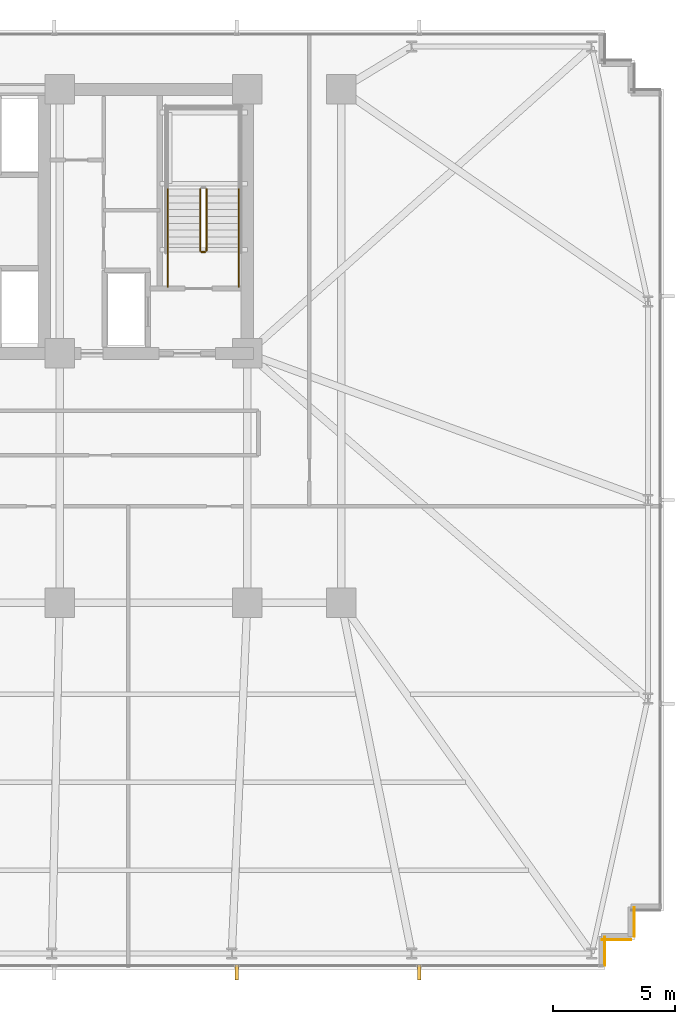
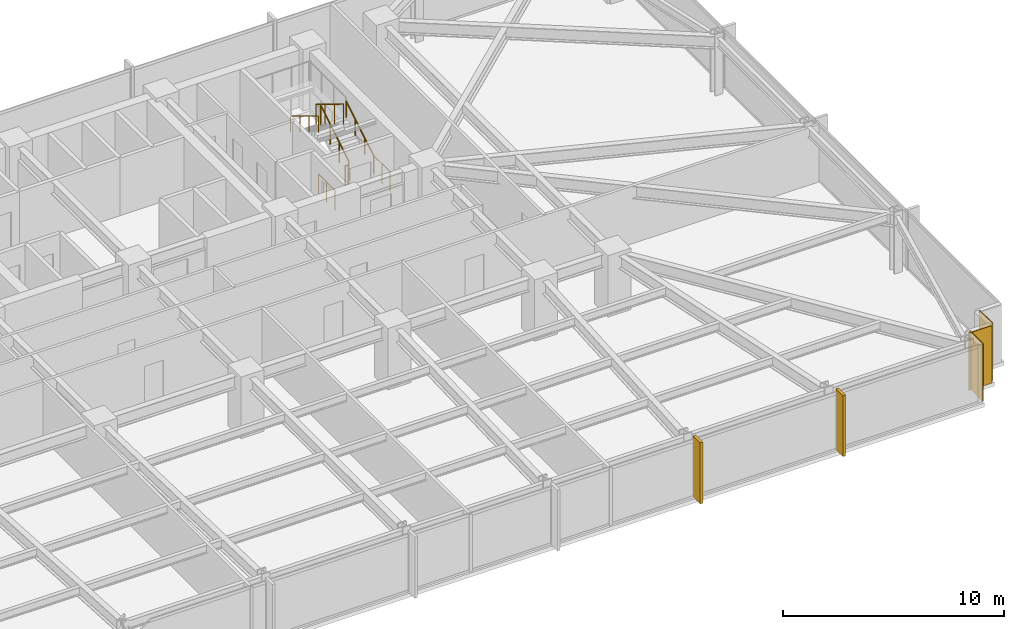
# One storey, part 29 of 32: 7 railings, 3 coverings, 2 shading devices.
"""IFC4 building model written with IfcOpenShell, lengths in metres."""

from ifc_helpers import new_model, si_unit, direction, frame, frame_2d, origin, origin_2d, place, context, subcontext, project, spatial, rectangle, circle, extrude, material, layer, layer_set, type_object, element, save


model = new_model("IFC4")

# Units and contexts
model_context = context("Model", 3, precision=1e-05, world=origin(), true_north=direction((0.0, 1.0)))
body_context = subcontext(model_context, "Body", "Model", "MODEL_VIEW")
ifc_project = project(units=[si_unit("LENGTHUNIT", "METRE"), si_unit("AREAUNIT", "SQUARE_METRE"), si_unit("VOLUMEUNIT", "CUBIC_METRE"), si_unit("PLANEANGLEUNIT", "RADIAN"), si_unit("MASSUNIT", "GRAM", prefix="KILO")], contexts=[model_context])

# Site, building, storey
site_placement = place(None, origin())
site = spatial("IfcSite", under=ifc_project, at=site_placement, CompositionType="ELEMENT")
building_placement = place(site_placement, origin())
building = spatial("IfcBuilding", under=site, at=building_placement, Name="Yelkora Congress Tower", CompositionType="ELEMENT")
storey_placement = place(building_placement, frame((0.0, 0.0, 67.800048828125)))
storey = spatial("IfcBuildingStorey", under=building, at=storey_placement, Name="L17", CompositionType="ELEMENT", Elevation=67.800048828125)

# Coverings
ifc_material_1 = material(Name="Anatolian bush-hammered limestone", Category="masonry")
ifc_layer_1 = layer(ifc_material_1, 0.0400390625)
ifc_layer_set_1 = layer_set([ifc_layer_1], Name="Anatolian bush-hammered limestone")
covering_type = type_object("IfcCoveringType", Name="COV-CLAD-SPANDREL-40", PredefinedType="CLADDING", material=ifc_layer_set_1)
for number, where, z_axis, x_axis, name in (
    (1, (69.594970703125, 12.739990234375, 0.0), (0.0, 0.0, 1.0), (0.0, -1.0, 0.0), "L17 Anatolian Limestone Cladding EW-L17-SR17"),
    (2, (69.4599609375, 11.405029296875, 0.0), (0.0, 0.0, 1.0), (-1.0, 0.0, 0.0), "L17 Anatolian Limestone Cladding EW-L17-SR18"),
    (3, (68.39501953125, 11.5400390625, 0.0), (0.0, 0.0, 1.0), (0.0, -1.0, 0.0), "L17 Anatolian Limestone Cladding EW-L17-SR19"),
):
    element("IfcCovering", number, at=place(storey_placement, frame(where, z_axis=z_axis, x_axis=x_axis)), inside=storey, type_object=covering_type, Name=name, PredefinedType="CLADDING", context=body_context, shape_type="SweptSolid", body=[
        extrude(rectangle(XDim=1.199951171875, YDim=0.0400390625, at=frame_2d((0.60009765625, 0.0))), origin(), (0.0, 0.0, 1.0), 3.179931640625),
    ])

# Railings
ifc_material_2 = material(Name="Painted galvanised steel stair well guard with vertical infill", Category="steel")
ifc_layer_2 = layer(ifc_material_2, 0.06005859375)
ifc_layer_set_2 = layer_set([ifc_layer_2], Name="Painted galvanised steel stair well guard with vertical infill")
railing_type_1 = type_object("IfcRailingType", Name="RAIL-STAIR-GUARD-1120", PredefinedType="GUARDRAIL", material=ifc_layer_set_2)
railing_1_placement = place(storey_placement, frame((52.090087890625, 39.60009765625, 0.169921875)))
element("IfcRailing", 4, at=railing_1_placement, inside=storey, type_object=railing_type_1, Name="ST-02 L17 Stair Well Guardrail 1", PredefinedType="GUARDRAIL", context=body_context, shape_type="SweptSolid", body=[
    extrude(circle(Radius=0.02392578125, at=origin_2d()), frame((0.0, 0.0, 1.09619140625), z_axis=(0.0, 0.85478489116, 0.518982456201), x_axis=(-1.0, 0.0, 0.0)), (0.0, 0.0, 1.0), 2.9482421875),
    extrude(circle(Radius=0.02099609375, at=origin_2d()), origin(), (0.0, 0.0, 1.0), 1.072021484375),
    extrude(circle(Radius=0.02099609375, at=origin_2d()), frame((0.0, 0.840087890625, 0.510009765625)), (0.0, 0.0, 1.0), 1.072021484375),
    extrude(circle(Radius=0.02099609375, at=origin_2d()), frame((0.0, 1.679931640625, 1.02001953125)), (0.0, 0.0, 1.0), 1.072021484375),
    extrude(circle(Radius=0.02099609375, at=origin_2d()), frame((0.0, 2.52001953125, 1.530029296875)), (0.0, 0.0, 1.0), 1.072021484375),
])
railing_2_placement = place(storey_placement, frame((51.830078125, 42.1201171875, 1.869873046875)))
element("IfcRailing", 5, at=railing_2_placement, inside=storey, type_object=railing_type_1, Name="ST-02 L17 Stair Well Guardrail 6", PredefinedType="GUARDRAIL", context=body_context, shape_type="SweptSolid", body=[
    extrude(circle(Radius=0.02392578125, at=origin_2d()), frame((0.0, 0.0, 1.09619140625), z_axis=(0.0, -0.85478489116, 0.518982456201), x_axis=(1.0, 0.0, 0.0)), (0.0, 0.0, 1.0), 2.9482421875),
    extrude(circle(Radius=0.02099609375, at=origin_2d()), origin(), (0.0, 0.0, 1.0), 1.072021484375),
    extrude(circle(Radius=0.02099609375, at=origin_2d()), frame((0.0, -0.840087890625, 0.510009765625)), (0.0, 0.0, 1.0), 1.072021484375),
    extrude(circle(Radius=0.02099609375, at=origin_2d()), frame((0.0, -1.679931640625, 1.02001953125)), (0.0, 0.0, 1.0), 1.072021484375),
    extrude(circle(Radius=0.02099609375, at=origin_2d()), frame((0.0, -2.52001953125, 1.530029296875)), (0.0, 0.0, 1.0), 1.072021484375),
])
railing_3_placement = place(storey_placement, frame((52.0400390625, 39.550048828125, 0.0)))
element("IfcRailing", 6, at=railing_3_placement, inside=storey, type_object=railing_type_1, Name="ST-02 L17 Stair Well Guardrail 7", PredefinedType="GUARDRAIL", context=body_context, shape_type="SweptSolid", body=[
    extrude(circle(Radius=0.02392578125, at=origin_2d()), frame((0.0, 0.0, 1.09619140625), z_axis=(-1.0, 0.0, 0.0), x_axis=(0.0, -1.0, 0.0)), (0.0, 0.0, 1.0), 0.16015625),
    extrude(circle(Radius=0.02099609375, at=origin_2d()), origin(), (0.0, 0.0, 1.0), 1.072021484375),
    extrude(circle(Radius=0.02099609375, at=origin_2d()), frame((-0.16015625, 0.0, 0.0)), (0.0, 0.0, 1.0), 1.072021484375),
])
for number, where, name in (
    (7, (53.409912109375, 38.1201171875, 0.0), "ST-02 L17 Stair Well Guardrail 8"),
    (8, (50.510009765625, 38.1201171875, 0.0), "ST-02 L17 Stair Well Guardrail 9"),
):
    element("IfcRailing", number, at=place(storey_placement, frame(where)), inside=storey, type_object=railing_type_1, Name=name, PredefinedType="GUARDRAIL", context=body_context, shape_type="SweptSolid", body=[
        extrude(circle(Radius=0.02392578125, at=origin_2d()), frame((0.0, 0.0, 1.09619140625), z_axis=(0.0, 1.0, 0.0), x_axis=(-1.0, 0.0, 0.0)), (0.0, 0.0, 1.0), 1.47998046875),
        extrude(circle(Radius=0.02099609375, at=origin_2d()), origin(), (0.0, 0.0, 1.0), 1.072021484375),
        extrude(circle(Radius=0.02099609375, at=origin_2d()), frame((0.0, 0.739990234375, 0.0)), (0.0, 0.0, 1.0), 1.072021484375),
        extrude(circle(Radius=0.02099609375, at=origin_2d()), frame((0.0, 1.47998046875, 0.0)), (0.0, 0.0, 1.0), 1.072021484375),
    ])
ifc_material_3 = material(Name="Brushed stainless steel tubular handrail", Category="steel")
ifc_layer_3 = layer(ifc_material_3, 0.050048828125)
ifc_layer_set_3 = layer_set([ifc_layer_3], Name="Brushed stainless steel tubular handrail")
railing_type_2 = type_object("IfcRailingType", Name="RAIL-STAIR-HAND-920", PredefinedType="HANDRAIL", material=ifc_layer_set_3)
railing_4_placement = place(storey_placement, frame((53.409912109375, 39.60009765625, 0.169921875)))
element("IfcRailing", 9, at=railing_4_placement, inside=storey, type_object=railing_type_2, Name="ST-02 L17 Pitch Handrail 1", PredefinedType="HANDRAIL", context=body_context, shape_type="SweptSolid", body=[
    extrude(circle(Radius=0.02392578125, at=origin_2d()), frame((0.0, 0.0, 0.89599609375), z_axis=(0.0, 0.85478489116, 0.518982456201), x_axis=(-1.0, 0.0, 0.0)), (0.0, 0.0, 1.0), 2.9482421875),
    extrude(circle(Radius=0.02099609375, at=origin_2d()), origin(), (0.0, 0.0, 1.0), 0.871826171875),
    extrude(circle(Radius=0.02099609375, at=origin_2d()), frame((0.0, 0.840087890625, 0.510009765625)), (0.0, 0.0, 1.0), 0.871826171875),
    extrude(circle(Radius=0.02099609375, at=origin_2d()), frame((0.0, 1.679931640625, 1.02001953125)), (0.0, 0.0, 1.0), 0.871826171875),
    extrude(circle(Radius=0.02099609375, at=origin_2d()), frame((0.0, 2.52001953125, 1.530029296875)), (0.0, 0.0, 1.0), 0.871826171875),
])
railing_5_placement = place(storey_placement, frame((50.510009765625, 42.1201171875, 1.869873046875)))
element("IfcRailing", 10, at=railing_5_placement, inside=storey, type_object=railing_type_2, Name="ST-02 L17 Pitch Handrail 2", PredefinedType="HANDRAIL", context=body_context, shape_type="SweptSolid", body=[
    extrude(circle(Radius=0.02392578125, at=origin_2d()), frame((0.0, 0.0, 0.89599609375), z_axis=(0.0, -0.85478489116, 0.518982456201), x_axis=(1.0, 0.0, 0.0)), (0.0, 0.0, 1.0), 2.9482421875),
    extrude(circle(Radius=0.02099609375, at=origin_2d()), origin(), (0.0, 0.0, 1.0), 0.871826171875),
    extrude(circle(Radius=0.02099609375, at=origin_2d()), frame((0.0, -0.840087890625, 0.510009765625)), (0.0, 0.0, 1.0), 0.871826171875),
    extrude(circle(Radius=0.02099609375, at=origin_2d()), frame((0.0, -1.679931640625, 1.02001953125)), (0.0, 0.0, 1.0), 0.871826171875),
    extrude(circle(Radius=0.02099609375, at=origin_2d()), frame((0.0, -2.52001953125, 1.530029296875)), (0.0, 0.0, 1.0), 0.871826171875),
])

# Shading devices
ifc_material_4 = material(Name="Champagne anodised aluminium", Category="aluminium")
ifc_layer_4 = layer(ifc_material_4, 3.39990234375)
ifc_layer_set_4 = layer_set([ifc_layer_4], Name="Champagne anodised aluminium")
shading_device_type = type_object("IfcShadingDeviceType", Name="SHD-FIN-ALU-640", PredefinedType="USERDEFINED", material=ifc_layer_set_4)
for number, where, z_axis, x_axis, name in (
    (11, (60.794921875, 10.080078125, -0.030029296875), (0.0, 0.0, 1.0), (-1.0, 0.0, 0.0), "L17 Vertical Anodised Solar Fin 20-1"),
    (12, (53.330078125, 10.080078125, -0.030029296875), (0.0, 0.0, 1.0), (-1.0, 0.0, 0.0), "L17 Vertical Anodised Solar Fin 20-2"),
):
    element("IfcShadingDevice", number, at=place(storey_placement, frame(where, z_axis=z_axis, x_axis=x_axis)), inside=storey, type_object=shading_device_type, Name=name, ObjectType="FIN", PredefinedType="USERDEFINED", context=body_context, shape_type="SweptSolid", body=[
        extrude(rectangle(XDim=0.139892578125, YDim=0.639892578125, at=origin_2d()), origin(), (0.0, 0.0, 1.0), 3.3798828125),
    ])

save(model, "model.ifc")
